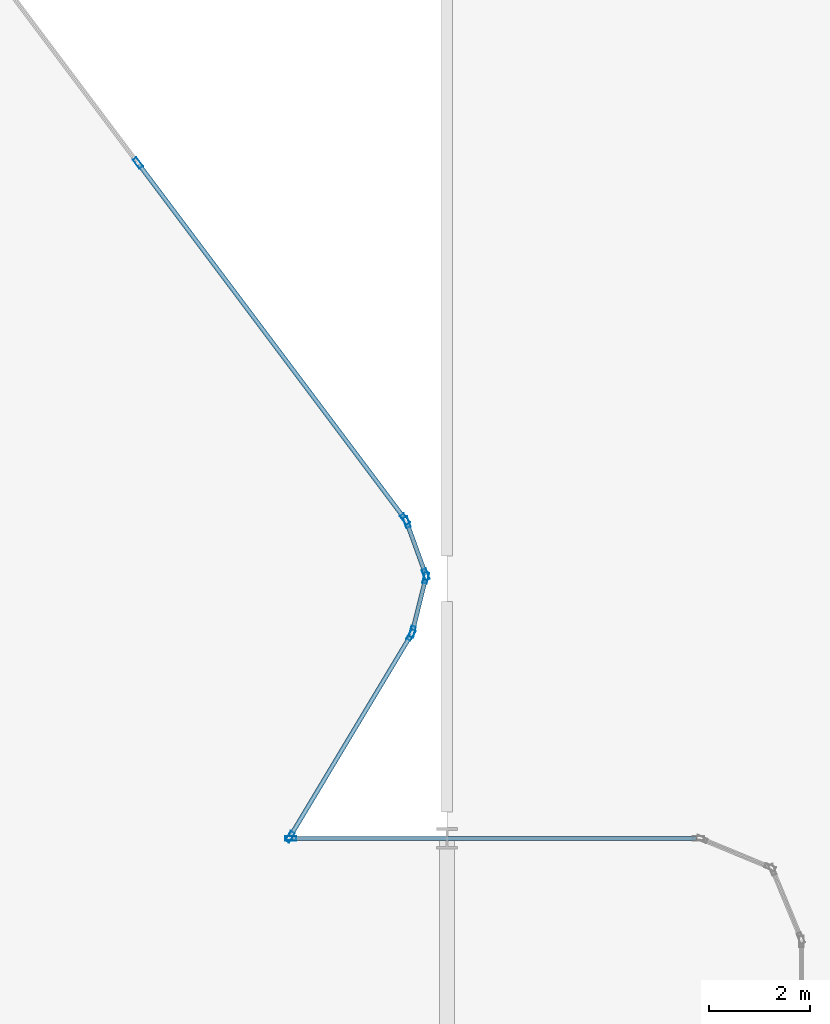
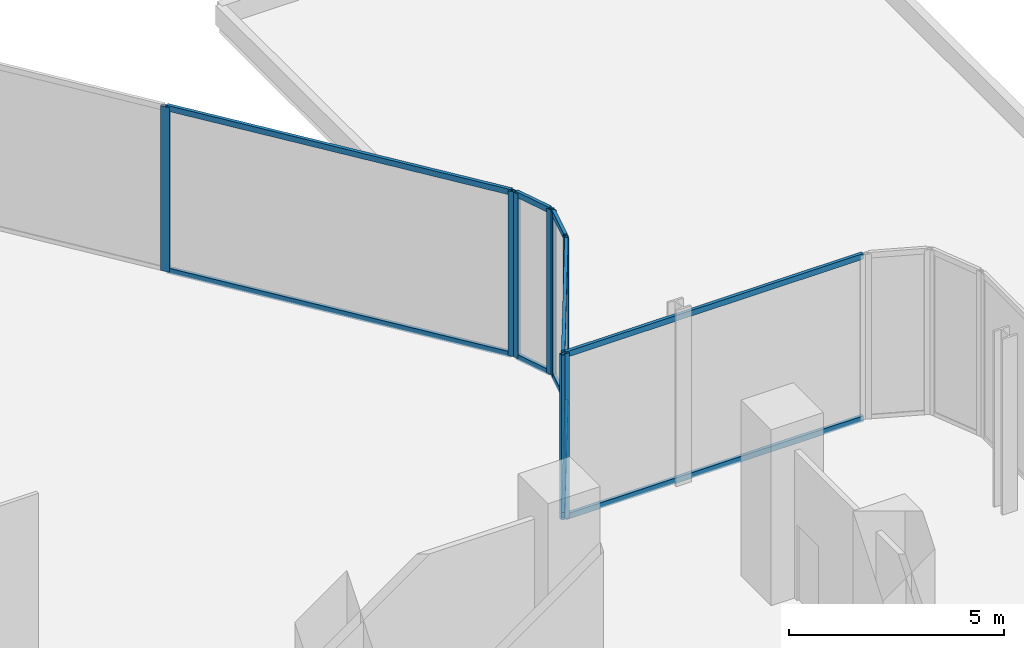
# One storey, part 12 of 29: 19 members, 5 elements without a shape of their own.
"""IFC4 building model written with IfcOpenShell, lengths in metres."""

from ifc_helpers import new_model, si_unit, direction, frame, origin, origin_2d, place, context, subcontext, project, spatial, hollow_rectangle, extrude, material, layer, layer_set, material_profile, profile_set, type_object, element, aggregate, save


model = new_model("IFC4")

# Units and contexts
model_context = context("Model", 3, precision=1e-05, world=origin(), true_north=direction((0.0, 1.0)))
body_context = subcontext(model_context, "Body", "Model", "MODEL_VIEW")
ifc_project = project(units=[si_unit("LENGTHUNIT", "METRE"), si_unit("AREAUNIT", "SQUARE_METRE"), si_unit("VOLUMEUNIT", "CUBIC_METRE"), si_unit("PLANEANGLEUNIT", "RADIAN"), si_unit("MASSUNIT", "GRAM", prefix="KILO")], contexts=[model_context])

# Site, building, storey
site_placement = place(None, origin())
site = spatial("IfcSite", under=ifc_project, at=site_placement, CompositionType="ELEMENT")
building_placement = place(site_placement, origin())
building = spatial("IfcBuilding", under=site, at=building_placement, Name="Keshet Zoharim Tower", CompositionType="ELEMENT")
storey_placement = place(building_placement, frame((0.0, 0.0, 19.0)))
storey = spatial("IfcBuildingStorey", under=building, at=storey_placement, Name="L03", CompositionType="ELEMENT", Elevation=19.0)

# Curtain wall, members
ifc_material = material(Name="Aluminium 6063-T6", Category="aluminium")
ifc_layer_1 = layer(ifc_material, 0.169921875)
ifc_layer_set_1 = layer_set([ifc_layer_1], Name="Aluminium 6063-T6")
curtain_wall_type_1 = type_object("IfcCurtainWallType", Name="CW-SYS-02", PredefinedType="NOTDEFINED", material=ifc_layer_set_1)
curtain_wall_1_placement = place(storey_placement, origin())
curtain_wall_1 = element("IfcCurtainWall", 1, at=curtain_wall_1_placement, inside=storey, type_object=curtain_wall_type_1, Name="L03 Unitised Curtain Wall 08", PredefinedType="NOTDEFINED")
ifc_material_profile_1 = material_profile(ifc_material, hollow_rectangle(XDim=0.090087890625, YDim=0.219970703125, WallThickness=0.0048828125, at=origin_2d()), Name="MUL-90x220")
ifc_profile_set_1 = profile_set([ifc_material_profile_1], Name="Aluminium 6063-T6")
member_type_1 = type_object("IfcMemberType", Name="CWM-M22", PredefinedType="MULLION", material=ifc_profile_set_1)
member_1_placement = place(storey_placement, frame((56.896484375, 46.0380859375, 0.0), z_axis=(0.0, 0.0, 1.0), x_axis=(0.799999999998, 0.600000000002, 0.0)))
member_1 = element("IfcMember", 2, at=member_1_placement, type_object=member_type_1, Name="CW-02 mullion 2", PredefinedType="MULLION", context=body_context, shape_type="SweptSolid", body=[
    extrude(hollow_rectangle(XDim=0.090087890625, YDim=0.219970703125, WallThickness=0.0048828125, at=origin_2d()), origin(), (0.0, 0.0, 1.0), 4.68505859375),
])
member_2_placement = place(storey_placement, frame((62.172119140625, 39.00390625, 0.0), z_axis=(0.0, 0.0, 1.0), x_axis=(0.799999999998, 0.600000000002, 0.0)))
member_2 = element("IfcMember", 3, at=member_2_placement, type_object=member_type_1, Name="CW-02 mullion 3", PredefinedType="MULLION", context=body_context, shape_type="SweptSolid", body=[
    extrude(hollow_rectangle(XDim=0.090087890625, YDim=0.219970703125, WallThickness=0.0048828125, at=origin_2d()), origin(), (0.0, 0.0, 1.0), 4.68505859375),
])

curtain_wall_2_placement = place(storey_placement, origin())
curtain_wall_2 = element("IfcCurtainWall", 4, at=curtain_wall_2_placement, inside=storey, type_object=curtain_wall_type_1, Name="L03 Unitised Curtain Wall 09", PredefinedType="NOTDEFINED")
member_3_placement = place(storey_placement, frame((62.204833984375, 38.943115234375, 0.0), z_axis=(0.0, 0.0, 1.0), x_axis=(0.940317877544, 0.340297354046, 0.0)))
member_3 = element("IfcMember", 5, at=member_3_placement, type_object=member_type_1, Name="CW-02 mullion 1", PredefinedType="MULLION", context=body_context, shape_type="SweptSolid", body=[
    extrude(hollow_rectangle(XDim=0.090087890625, YDim=0.219970703125, WallThickness=0.0048828125, at=origin_2d()), origin(), (0.0, 0.0, 1.0), 4.68505859375),
])
member_4_placement = place(storey_placement, frame((62.578125, 37.911865234375, 0.0), z_axis=(0.0, 0.0, 1.0), x_axis=(0.940317877544, 0.340297354046, 0.0)))
member_4 = element("IfcMember", 6, at=member_4_placement, type_object=member_type_1, Name="CW-02 mullion 2", PredefinedType="MULLION", context=body_context, shape_type="SweptSolid", body=[
    extrude(hollow_rectangle(XDim=0.090087890625, YDim=0.219970703125, WallThickness=0.0048828125, at=origin_2d()), origin(), (0.0, 0.0, 1.0), 4.68505859375),
])

curtain_wall_3_placement = place(storey_placement, origin())
curtain_wall_3 = element("IfcCurtainWall", 7, at=curtain_wall_3_placement, inside=storey, type_object=curtain_wall_type_1, Name="L03 Unitised Curtain Wall 10", PredefinedType="NOTDEFINED")
member_5_placement = place(storey_placement, frame((62.58154296875, 37.844970703125, 0.0), z_axis=(0.0, 0.0, 1.0), x_axis=(0.970343857447, -0.241728770141, 0.0)))
member_5 = element("IfcMember", 8, at=member_5_placement, type_object=member_type_1, Name="CW-02 mullion 1", PredefinedType="MULLION", context=body_context, shape_type="SweptSolid", body=[
    extrude(hollow_rectangle(XDim=0.090087890625, YDim=0.219970703125, WallThickness=0.0048828125, at=origin_2d()), origin(), (0.0, 0.0, 1.0), 4.68505859375),
])
member_6_placement = place(storey_placement, frame((62.31640625, 36.781005859375, 0.0), z_axis=(0.0, 0.0, 1.0), x_axis=(0.970343857447, -0.241728770141, 0.0)))
member_6 = element("IfcMember", 9, at=member_6_placement, type_object=member_type_1, Name="CW-02 mullion 2", PredefinedType="MULLION", context=body_context, shape_type="SweptSolid", body=[
    extrude(hollow_rectangle(XDim=0.090087890625, YDim=0.219970703125, WallThickness=0.0048828125, at=origin_2d()), origin(), (0.0, 0.0, 1.0), 4.68505859375),
])

ifc_layer_2 = layer(ifc_material, 0.179931640625)
ifc_layer_set_2 = layer_set([ifc_layer_2], Name="Aluminium 6063-T6")
curtain_wall_type_2 = type_object("IfcCurtainWallType", Name="CW-SYS-01", PredefinedType="NOTDEFINED", material=ifc_layer_set_2)
curtain_wall_4_placement = place(storey_placement, origin())
curtain_wall_4 = element("IfcCurtainWall", 10, at=curtain_wall_4_placement, inside=storey, type_object=curtain_wall_type_2, Name="L03 Unitised Curtain Wall 11", PredefinedType="NOTDEFINED")
member_7_placement = place(storey_placement, frame((62.2900390625, 36.717041015625, 0.0), z_axis=(0.0, 0.0, 1.0), x_axis=(0.857511621163, -0.51446459506, 0.0)))
member_7 = element("IfcMember", 11, at=member_7_placement, type_object=member_type_1, Name="CW-01 mullion 1", PredefinedType="MULLION", context=body_context, shape_type="SweptSolid", body=[
    extrude(hollow_rectangle(XDim=0.090087890625, YDim=0.219970703125, WallThickness=0.0048828125, at=origin_2d()), origin(), (0.0, 0.0, 1.0), 4.68505859375),
])
member_8_placement = place(storey_placement, frame((59.89794921875, 32.72998046875, 0.0), z_axis=(0.0, 0.0, 1.0), x_axis=(0.857511621163, -0.51446459506, 0.0)))
member_8 = element("IfcMember", 12, at=member_8_placement, type_object=member_type_1, Name="CW-01 mullion 2", PredefinedType="MULLION", context=body_context, shape_type="SweptSolid", body=[
    extrude(hollow_rectangle(XDim=0.090087890625, YDim=0.219970703125, WallThickness=0.0048828125, at=origin_2d()), origin(), (0.0, 0.0, 1.0), 4.68505859375),
])

# Curtain wall, member
curtain_wall_5_placement = place(storey_placement, origin())
curtain_wall_5 = element("IfcCurtainWall", 13, at=curtain_wall_5_placement, inside=storey, type_object=curtain_wall_type_1, Name="L03 Unitised Curtain Wall 12", PredefinedType="NOTDEFINED")
member_9_placement = place(storey_placement, frame((59.9150390625, 32.699951171875, 0.0), z_axis=(0.0, 0.0, 1.0), x_axis=(0.0, 1.0, 0.0)))
member_9 = element("IfcMember", 14, at=member_9_placement, type_object=member_type_1, Name="CW-02 mullion 1", PredefinedType="MULLION", context=body_context, shape_type="SweptSolid", body=[
    extrude(hollow_rectangle(XDim=0.090087890625, YDim=0.219970703125, WallThickness=0.0048828125, at=origin_2d()), origin(), (0.0, 0.0, 1.0), 4.68505859375),
])

# Member
ifc_material_profile_2 = material_profile(ifc_material, hollow_rectangle(XDim=0.0849609375, YDim=0.159912109375, WallThickness=0.00439453125, at=origin_2d()), Name="TRN-85x160")
ifc_profile_set_2 = profile_set([ifc_material_profile_2], Name="Aluminium 6063-T6")
member_type_2 = type_object("IfcMemberType", Name="CWT-T16", PredefinedType="USERDEFINED", material=ifc_profile_set_2)
member_10_placement = place(storey_placement, frame((56.91748046875, 46.010009765625, 0.034912109375), z_axis=(0.599991043201, -0.800006717521, 0.0), x_axis=(0.800006717521, 0.599991043201, 0.0)))
member_10 = element("IfcMember", 15, at=member_10_placement, type_object=member_type_2, Name="CW-02 transom 2.1", ObjectType="TRANSOM", PredefinedType="USERDEFINED", context=body_context, shape_type="SweptSolid", body=[
    extrude(hollow_rectangle(XDim=0.0849609375, YDim=0.159912109375, WallThickness=0.00439453125, at=origin_2d()), origin(), (0.0, 0.0, 1.0), 8.722412109375),
])

member_11_placement = place(storey_placement, frame((56.91748046875, 46.010009765625, 4.64990234375), z_axis=(0.599991043201, -0.800006717521, 0.0), x_axis=(0.800006717521, 0.599991043201, 0.0)))
member_11 = element("IfcMember", 16, at=member_11_placement, type_object=member_type_2, Name="CW-02 transom 2.2", ObjectType="TRANSOM", PredefinedType="USERDEFINED", context=body_context, shape_type="SweptSolid", body=[
    extrude(hollow_rectangle(XDim=0.0849609375, YDim=0.159912109375, WallThickness=0.00439453125, at=origin_2d()), origin(), (0.0, 0.0, 1.0), 8.722412109375),
])

aggregate(curtain_wall_1, [member_1, member_2, member_10, member_11])

member_12_placement = place(storey_placement, frame((62.216796875, 38.91015625, 0.034912109375), z_axis=(0.340310579984, -0.940313091024, 0.0), x_axis=(0.940313091024, 0.340310579984, 0.0)))
member_12 = element("IfcMember", 17, at=member_12_placement, type_object=member_type_2, Name="CW-02 transom 1.1", ObjectType="TRANSOM", PredefinedType="USERDEFINED", context=body_context, shape_type="SweptSolid", body=[
    extrude(hollow_rectangle(XDim=0.0849609375, YDim=0.159912109375, WallThickness=0.00439453125, at=origin_2d()), origin(), (0.0, 0.0, 1.0), 1.026611328125),
])

member_13_placement = place(storey_placement, frame((62.216796875, 38.91015625, 4.64990234375), z_axis=(0.340310579984, -0.940313091024, 0.0), x_axis=(0.940313091024, 0.340310579984, 0.0)))
member_13 = element("IfcMember", 18, at=member_13_placement, type_object=member_type_2, Name="CW-02 transom 1.2", ObjectType="TRANSOM", PredefinedType="USERDEFINED", context=body_context, shape_type="SweptSolid", body=[
    extrude(hollow_rectangle(XDim=0.0849609375, YDim=0.159912109375, WallThickness=0.00439453125, at=origin_2d()), origin(), (0.0, 0.0, 1.0), 1.026611328125),
])

aggregate(curtain_wall_2, [member_3, member_4, member_12, member_13])

member_14_placement = place(storey_placement, frame((62.572998046875, 37.81103515625, 0.034912109375), z_axis=(-0.241640143717, -0.970365931463, 0.0), x_axis=(0.970365931463, -0.241640143717, 0.0)))
member_14 = element("IfcMember", 19, at=member_14_placement, type_object=member_type_2, Name="CW-02 transom 1.1", ObjectType="TRANSOM", PredefinedType="USERDEFINED", context=body_context, shape_type="SweptSolid", body=[
    extrude(hollow_rectangle(XDim=0.0849609375, YDim=0.159912109375, WallThickness=0.00439453125, at=origin_2d()), origin(), (0.0, 0.0, 1.0), 1.026611328125),
])

member_15_placement = place(storey_placement, frame((62.572998046875, 37.81103515625, 4.64990234375), z_axis=(-0.241640143717, -0.970365931463, 0.0), x_axis=(0.970365931463, -0.241640143717, 0.0)))
member_15 = element("IfcMember", 20, at=member_15_placement, type_object=member_type_2, Name="CW-02 transom 1.2", ObjectType="TRANSOM", PredefinedType="USERDEFINED", context=body_context, shape_type="SweptSolid", body=[
    extrude(hollow_rectangle(XDim=0.0849609375, YDim=0.159912109375, WallThickness=0.00439453125, at=origin_2d()), origin(), (0.0, 0.0, 1.0), 1.026611328125),
])

aggregate(curtain_wall_3, [member_5, member_6, member_14, member_15])

member_16_placement = place(storey_placement, frame((62.27197265625, 36.68701171875, 0.034912109375), z_axis=(-0.514456555213, -0.857516444622, 0.0), x_axis=(0.857516444622, -0.514456555213, 0.0)))
member_16 = element("IfcMember", 21, at=member_16_placement, type_object=member_type_2, Name="CW-01 transom 1.1", ObjectType="TRANSOM", PredefinedType="USERDEFINED", context=body_context, shape_type="SweptSolid", body=[
    extrude(hollow_rectangle(XDim=0.0849609375, YDim=0.159912109375, WallThickness=0.00439453125, at=origin_2d()), origin(), (0.0, 0.0, 1.0), 4.57958984375),
])

member_17_placement = place(storey_placement, frame((62.27197265625, 36.68701171875, 4.64990234375), z_axis=(-0.514456555213, -0.857516444622, 0.0), x_axis=(0.857516444622, -0.514456555213, 0.0)))
member_17 = element("IfcMember", 22, at=member_17_placement, type_object=member_type_2, Name="CW-01 transom 1.2", ObjectType="TRANSOM", PredefinedType="USERDEFINED", context=body_context, shape_type="SweptSolid", body=[
    extrude(hollow_rectangle(XDim=0.0849609375, YDim=0.159912109375, WallThickness=0.00439453125, at=origin_2d()), origin(), (0.0, 0.0, 1.0), 4.57958984375),
])

aggregate(curtain_wall_4, [member_7, member_8, member_16, member_17])

member_18_placement = place(storey_placement, frame((59.949951171875, 32.699951171875, 0.034912109375), z_axis=(1.0, 0.0, 0.0), x_axis=(0.0, 1.0, 0.0)))
member_18 = element("IfcMember", 23, at=member_18_placement, type_object=member_type_2, Name="CW-02 transom 1.1", ObjectType="TRANSOM", PredefinedType="USERDEFINED", context=body_context, shape_type="SweptSolid", body=[
    extrude(hollow_rectangle(XDim=0.0849609375, YDim=0.159912109375, WallThickness=0.00439453125, at=origin_2d()), origin(), (0.0, 0.0, 1.0), 7.97998046875),
])

member_19_placement = place(storey_placement, frame((59.949951171875, 32.699951171875, 4.64990234375), z_axis=(1.0, 0.0, 0.0), x_axis=(0.0, 1.0, 0.0)))
member_19 = element("IfcMember", 24, at=member_19_placement, type_object=member_type_2, Name="CW-02 transom 1.2", ObjectType="TRANSOM", PredefinedType="USERDEFINED", context=body_context, shape_type="SweptSolid", body=[
    extrude(hollow_rectangle(XDim=0.0849609375, YDim=0.159912109375, WallThickness=0.00439453125, at=origin_2d()), origin(), (0.0, 0.0, 1.0), 7.97998046875),
])

aggregate(curtain_wall_5, [member_9, member_18, member_19])

save(model, "model.ifc")
